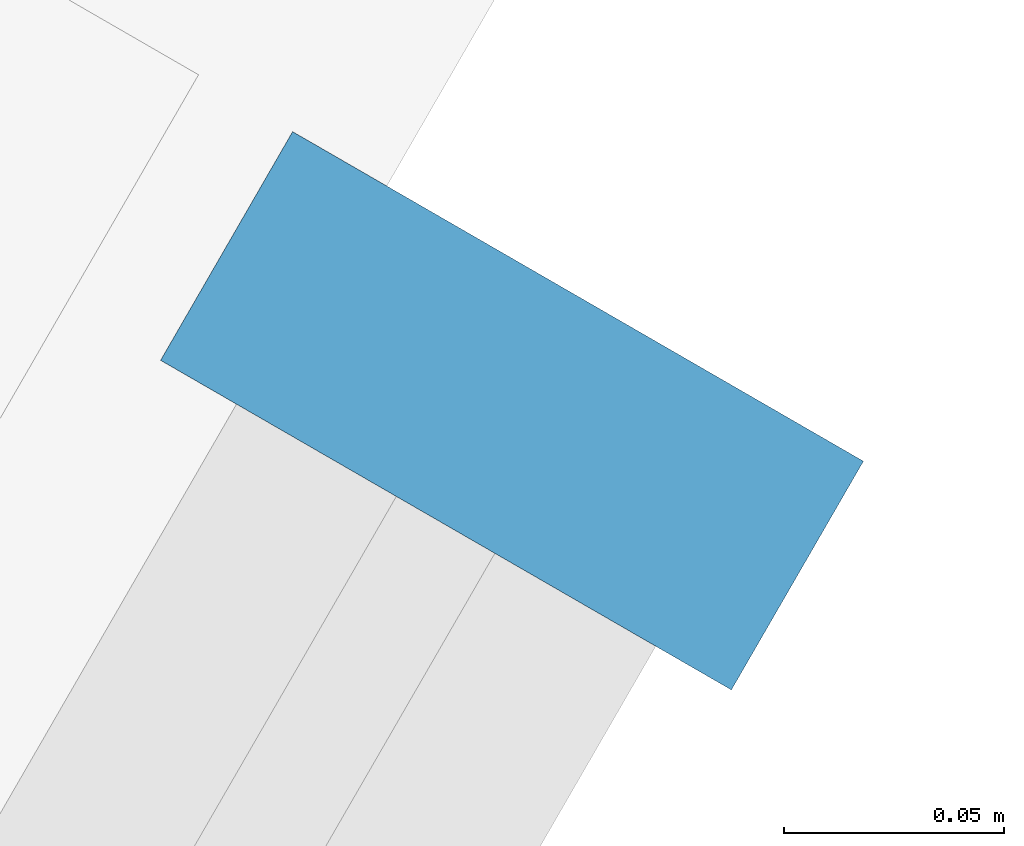
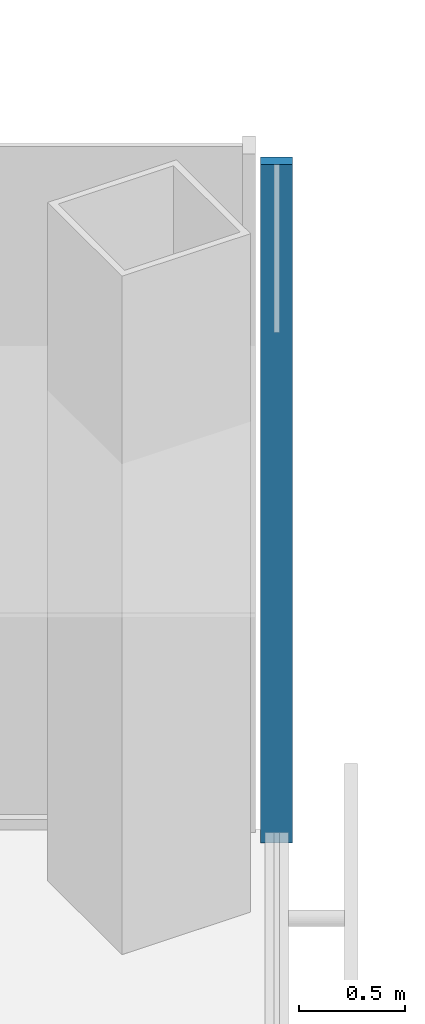
# One storey, part 9 of 18: 1 member, 1 element without a shape of its own.
"""IFC4 building model written with IfcOpenShell, lengths in metres."""

from ifc_helpers import new_model, si_unit, direction, frame, origin, origin_2d, place, context, subcontext, project, spatial, rectangle, extrude, material, material_profile, profile_set, type_object, element, aggregate, save


model = new_model("IFC4")

# Units and contexts
model_context = context("Model", 3, precision=1e-05, world=origin(), true_north=direction((0.0, 1.0)))
body_context = subcontext(model_context, "Body", "Model", "MODEL_VIEW")
ifc_project = project(units=[si_unit("LENGTHUNIT", "METRE"), si_unit("AREAUNIT", "SQUARE_METRE"), si_unit("VOLUMEUNIT", "CUBIC_METRE"), si_unit("PLANEANGLEUNIT", "RADIAN"), si_unit("MASSUNIT", "GRAM", prefix="KILO")], contexts=[model_context])

# Site, building, storey
site_placement = place(None, origin())
site = spatial("IfcSite", under=ifc_project, at=site_placement, CompositionType="ELEMENT")
building_placement = place(site_placement, origin())
building = spatial("IfcBuilding", under=site, at=building_placement, Name="Kasaneha Research Tower", CompositionType="ELEMENT")
storey_placement = place(building_placement, frame((0.0, 0.0, 137.0)))
storey = spatial("IfcBuildingStorey", under=building, at=storey_placement, Name="L34", CompositionType="ELEMENT", Elevation=137.0)

# Curtain wall, member
ifc_material_1 = material(Name="Glass and aluminium", Category="aluminium")
curtain_wall_type = type_object("IfcCurtainWallType", Name="Mid-rise office curtain wall", PredefinedType="USERDEFINED", material=ifc_material_1)
curtain_wall_placement = place(storey_placement, origin())
curtain_wall = element("IfcCurtainWall", 1, at=curtain_wall_placement, inside=storey, type_object=curtain_wall_type, Name="CW-O2 L34 run 04a", ObjectType="UNITISED CURTAIN WALL", PredefinedType="USERDEFINED")
ifc_material_2 = material(Name="Aluminium 6063-T6", Category="aluminium")
ifc_material_profile = material_profile(ifc_material_2, rectangle(XDim=0.06005859375, YDim=0.14990234375, at=origin_2d()), Name="CW-O2 mullion 60x150")
ifc_profile_set = profile_set([ifc_material_profile], Name="Aluminium 6063-T6")
member_type = type_object("IfcMemberType", Name="CW-O2 mullion", PredefinedType="MULLION", material=ifc_profile_set)
member_placement = place(storey_placement, frame((32.012939453125, -6.39306640625, 0.0), z_axis=(0.0, 0.0, 1.0), x_axis=(0.500000011442, 0.866025397178, 0.0)))
member = element("IfcMember", 2, at=member_placement, type_object=member_type, Name="CW-O2 mullion 4", PredefinedType="MULLION", context=body_context, shape_type="SweptSolid", body=[
    extrude(rectangle(XDim=0.06005859375, YDim=0.14990234375, at=origin_2d()), origin(), (0.0, 0.0, 1.0), 3.89990234375),
])
aggregate(curtain_wall, [member])

save(model, "model.ifc")
